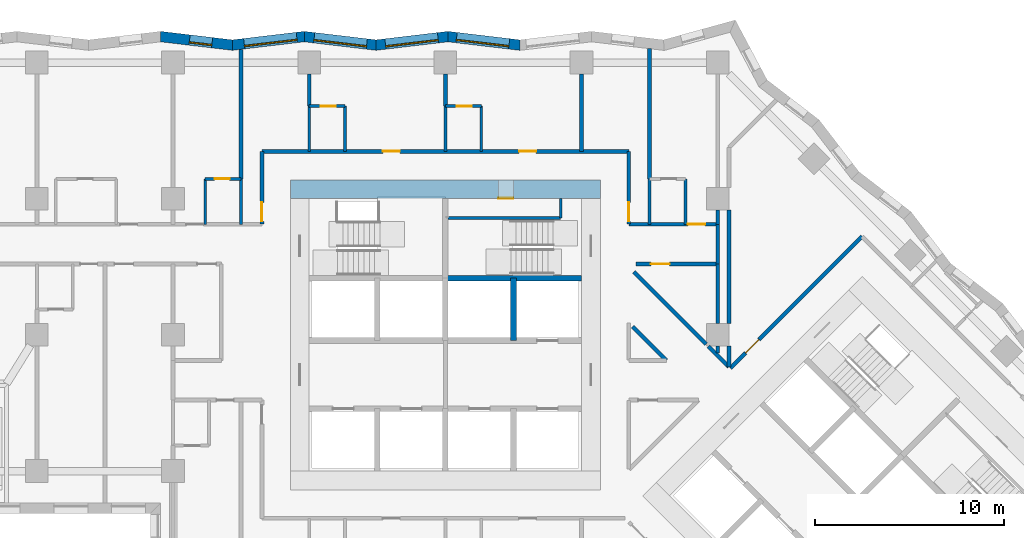
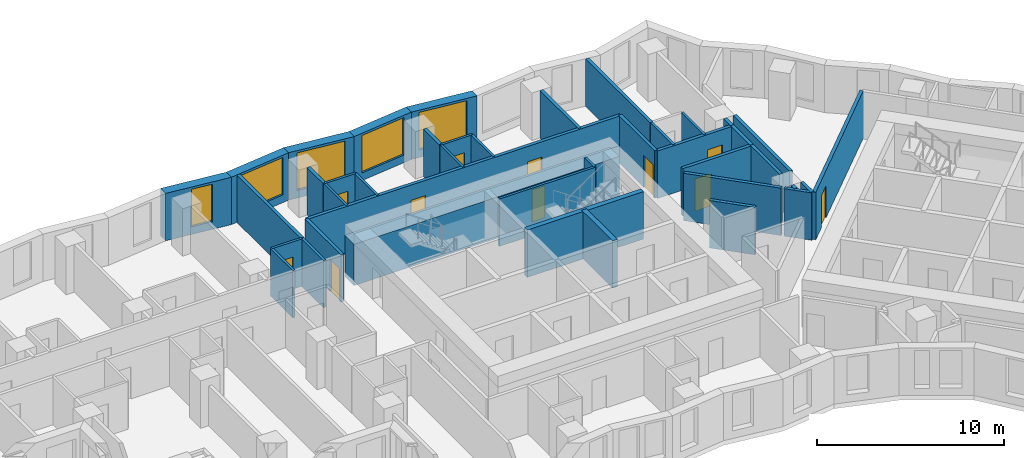
# One storey, part 6 of 14: 41 walls, 11 doors, 5 windows, 16 openings.
"""IFC4 building model written with IfcOpenShell, lengths in metres."""

from ifc_helpers import new_model, si_unit, direction, frame, frame_2d, origin, place, context, subcontext, project, spatial, polyline, rectangle, outline, extrude, material, layer, layer_set, type_object, element, fill, save


model = new_model("IFC4")

# Units and contexts
model_context = context("Model", 3, precision=1e-05, world=origin(), true_north=direction((0.0, 1.0)))
body_context = subcontext(model_context, "Body", "Model", "MODEL_VIEW")
ifc_project = project(units=[si_unit("LENGTHUNIT", "METRE"), si_unit("AREAUNIT", "SQUARE_METRE"), si_unit("VOLUMEUNIT", "CUBIC_METRE"), si_unit("PLANEANGLEUNIT", "RADIAN"), si_unit("MASSUNIT", "GRAM", prefix="KILO")], contexts=[model_context])

# Site, building, storey
site_placement = place(None, origin())
site = spatial("IfcSite", under=ifc_project, at=site_placement, CompositionType="ELEMENT")
building_placement = place(site_placement, origin())
building = spatial("IfcBuilding", under=site, at=building_placement, Name="Windrow Commons", CompositionType="ELEMENT")
storey_placement = place(building_placement, frame((0.0, 0.0, 44.0)))
storey = spatial("IfcBuildingStorey", under=building, at=storey_placement, Name="L11", CompositionType="ELEMENT", Elevation=44.0)

# Wall, opening, window
ifc_material_1 = material(Name="Brick masonry, red clay brick", Category="masonry")
ifc_layer_1 = layer(ifc_material_1, 0.55)
ifc_layer_set_1 = layer_set([ifc_layer_1], Name="Brick facade wall 550")
wall_type_1 = type_object("IfcWallType", Name="Brick facade wall 550", PredefinedType="SOLIDWALL", material=ifc_layer_set_1)
wall_1_placement = place(storey_placement, frame((68.7355, 72.9231, 0.0), z_axis=(0.0, 0.0, 1.0), x_axis=(-0.9930265769, 0.1178907016, 0.0)))
wall_1 = element("IfcWall", 1, at=wall_1_placement, inside=storey, type_object=wall_type_1, Name="Brick facade wall L11 26", PredefinedType="SOLIDWALL", context=body_context, shape_type="SweptSolid", body=[
    extrude(outline(polyline([(0.0326, -0.275), (3.8583, -0.275), (3.793, 0.275), (-0.0326, 0.275), (0.0326, -0.275)])), origin(), (0.0, 0.0, 1.0), 3.1),
])
opening_1_placement = place(wall_1_placement, frame((0.5654, 0.0, 0.5)))
opening_1 = element("IfcOpeningElement", 2, at=opening_1_placement, cuts=wall_1, Name="Opening W1T", PredefinedType="OPENING", context=body_context, shape_type="SweptSolid", body=[
    extrude(rectangle(XDim=2.8, YDim=2.45, at=frame_2d((1.4, 1.225))), frame((0.0, 0.285, 0.0), z_axis=(0.0, -1.0, 0.0), x_axis=(1.0, 0.0, 0.0)), (0.0, 0.0, 1.0), 0.57),
])
ifc_material_2 = material(Name="Clear float glass in anodised aluminium frame", Category="aluminium")
window_type_1 = type_object("IfcWindowType", Name="Window W1T bedroom 2800x2450", PartitioningType="SINGLE_PANEL", PredefinedType="WINDOW", material=ifc_material_2)
window_1_placement = place(opening_1_placement, origin())
window_1 = element("IfcWindow", 3, at=window_1_placement, inside=storey, type_object=window_type_1, Name="Window L11 26.1", OverallHeight=2.45, OverallWidth=2.8, PartitioningType="SINGLE_PANEL", PredefinedType="WINDOW", context=body_context, shape_type="SweptSolid", body=[
    extrude(rectangle(XDim=2.8, YDim=2.45, at=frame_2d((1.4, 1.225))), frame((0.0, 0.155, 0.0), z_axis=(0.0, -1.0, 0.0), x_axis=(1.0, 0.0, 0.0)), (0.0, 0.0, 1.0), 0.06),
])
fill(opening_1, window_1)

wall_2_placement = place(storey_placement, frame((64.9366, 73.3741, 0.0), z_axis=(0.0, 0.0, 1.0), x_axis=(-0.9930269402, -0.1178876415, 0.0)))
wall_2 = element("IfcWall", 4, at=wall_2_placement, inside=storey, type_object=wall_type_1, Name="Brick facade wall L11 27", PredefinedType="SOLIDWALL", context=body_context, shape_type="SweptSolid", body=[
    extrude(outline(polyline([(-0.0326, -0.275), (3.793, -0.275), (3.8583, 0.275), (0.0326, 0.275), (-0.0326, -0.275)])), origin(), (0.0, 0.0, 1.0), 3.1),
])
opening_2_placement = place(wall_2_placement, frame((0.5291, 0.0, 0.5)))
opening_2 = element("IfcOpeningElement", 5, at=opening_2_placement, cuts=wall_2, Name="Opening W1T", PredefinedType="OPENING", context=body_context, shape_type="SweptSolid", body=[
    extrude(rectangle(XDim=2.8, YDim=2.45, at=frame_2d((1.4, 1.225))), frame((0.0, 0.285, 0.0), z_axis=(0.0, -1.0, 0.0), x_axis=(1.0, 0.0, 0.0)), (0.0, 0.0, 1.0), 0.57),
])
window_2_placement = place(opening_2_placement, origin())
window_2 = element("IfcWindow", 6, at=window_2_placement, inside=storey, type_object=window_type_1, Name="Window L11 27.1", OverallHeight=2.45, OverallWidth=2.8, PartitioningType="SINGLE_PANEL", PredefinedType="WINDOW", context=body_context, shape_type="SweptSolid", body=[
    extrude(rectangle(XDim=2.8, YDim=2.45, at=frame_2d((1.4, 1.225))), frame((0.0, 0.155, 0.0), z_axis=(0.0, -1.0, 0.0), x_axis=(1.0, 0.0, 0.0)), (0.0, 0.0, 1.0), 0.06),
])
fill(opening_2, window_2)

wall_3_placement = place(storey_placement, frame((61.1376, 72.9231, 0.0), z_axis=(0.0, 0.0, 1.0), x_axis=(-0.9930269402, 0.1178876415, 0.0)))
wall_3 = element("IfcWall", 7, at=wall_3_placement, inside=storey, type_object=wall_type_1, Name="Brick facade wall L11 28", PredefinedType="SOLIDWALL", context=body_context, shape_type="SweptSolid", body=[
    extrude(outline(polyline([(0.0326, -0.275), (3.8583, -0.275), (3.793, 0.275), (-0.0326, 0.275), (0.0326, -0.275)])), origin(), (0.0, 0.0, 1.0), 3.1),
])
opening_3_placement = place(wall_3_placement, frame((0.4965, 0.0, 0.5)))
opening_3 = element("IfcOpeningElement", 8, at=opening_3_placement, cuts=wall_3, Name="Opening W1T", PredefinedType="OPENING", context=body_context, shape_type="SweptSolid", body=[
    extrude(rectangle(XDim=2.8, YDim=2.45, at=frame_2d((1.4, 1.225))), frame((0.0, 0.285, 0.0), z_axis=(0.0, -1.0, 0.0), x_axis=(1.0, 0.0, 0.0)), (0.0, 0.0, 1.0), 0.57),
])
window_3_placement = place(opening_3_placement, origin())
window_3 = element("IfcWindow", 9, at=window_3_placement, inside=storey, type_object=window_type_1, Name="Window L11 28.1", OverallHeight=2.45, OverallWidth=2.8, PartitioningType="SINGLE_PANEL", PredefinedType="WINDOW", context=body_context, shape_type="SweptSolid", body=[
    extrude(rectangle(XDim=2.8, YDim=2.45, at=frame_2d((1.4, 1.225))), frame((0.0, 0.155, 0.0), z_axis=(0.0, -1.0, 0.0), x_axis=(1.0, 0.0, 0.0)), (0.0, 0.0, 1.0), 0.06),
])
fill(opening_3, window_3)

wall_4_placement = place(storey_placement, frame((57.3386, 73.3741, 0.0), z_axis=(0.0, 0.0, 1.0), x_axis=(-0.9930265769, -0.1178907016, 0.0)))
wall_4 = element("IfcWall", 10, at=wall_4_placement, inside=storey, type_object=wall_type_1, Name="Brick facade wall L11 29", PredefinedType="SOLIDWALL", context=body_context, shape_type="SweptSolid", body=[
    extrude(outline(polyline([(-0.0326, -0.275), (3.793, -0.275), (3.8583, 0.275), (0.0326, 0.275), (-0.0326, -0.275)])), origin(), (0.0, 0.0, 1.0), 3.1),
])
opening_4_placement = place(wall_4_placement, frame((0.3974, 0.0, 0.5)))
opening_4 = element("IfcOpeningElement", 11, at=opening_4_placement, cuts=wall_4, Name="Opening W1T", PredefinedType="OPENING", context=body_context, shape_type="SweptSolid", body=[
    extrude(rectangle(XDim=2.8, YDim=2.45, at=frame_2d((1.4, 1.225))), frame((0.0, 0.285, 0.0), z_axis=(0.0, -1.0, 0.0), x_axis=(1.0, 0.0, 0.0)), (0.0, 0.0, 1.0), 0.57),
])
window_4_placement = place(opening_4_placement, origin())
window_4 = element("IfcWindow", 12, at=window_4_placement, inside=storey, type_object=window_type_1, Name="Window L11 29.1", OverallHeight=2.45, OverallWidth=2.8, PartitioningType="SINGLE_PANEL", PredefinedType="WINDOW", context=body_context, shape_type="SweptSolid", body=[
    extrude(rectangle(XDim=2.8, YDim=2.45, at=frame_2d((1.4, 1.225))), frame((0.0, 0.155, 0.0), z_axis=(0.0, -1.0, 0.0), x_axis=(1.0, 0.0, 0.0)), (0.0, 0.0, 1.0), 0.06),
])
fill(opening_4, window_4)

wall_5_placement = place(storey_placement, frame((53.5397, 72.9231, 0.0), z_axis=(0.0, 0.0, 1.0), x_axis=(-0.9930269402, 0.1178876415, 0.0)))
wall_5 = element("IfcWall", 13, at=wall_5_placement, inside=storey, type_object=wall_type_1, Name="Brick facade wall L11 30", PredefinedType="SOLIDWALL", context=body_context, shape_type="SweptSolid", body=[
    extrude(outline(polyline([(0.0326, -0.275), (3.8583, -0.275), (3.793, 0.275), (-0.0326, 0.275), (0.0326, -0.275)])), origin(), (0.0, 0.0, 1.0), 3.1),
])
opening_5_placement = place(wall_5_placement, frame((1.0809, 0.0, 0.5)))
opening_5 = element("IfcOpeningElement", 14, at=opening_5_placement, cuts=wall_5, Name="Opening W7D", PredefinedType="OPENING", context=body_context, shape_type="SweptSolid", body=[
    extrude(rectangle(XDim=1.2, YDim=2.45, at=frame_2d((0.6, 1.225))), frame((0.0, 0.285, 0.0), z_axis=(0.0, -1.0, 0.0), x_axis=(1.0, 0.0, 0.0)), (0.0, 0.0, 1.0), 0.57),
])
ifc_material_3 = material(Name="Clear float glass in anodised aluminium frame", Category="aluminium")
window_type_2 = type_object("IfcWindowType", Name="Window W7 notch 1200x2450", PartitioningType="SINGLE_PANEL", PredefinedType="WINDOW", material=ifc_material_3)
window_5_placement = place(opening_5_placement, origin())
window_5 = element("IfcWindow", 15, at=window_5_placement, inside=storey, type_object=window_type_2, Name="Window L11 30.1", OverallHeight=2.45, OverallWidth=1.2, PartitioningType="SINGLE_PANEL", PredefinedType="WINDOW", context=body_context, shape_type="SweptSolid", body=[
    extrude(rectangle(XDim=1.2, YDim=2.45, at=frame_2d((0.6, 1.225))), frame((0.0, 0.155, 0.0), z_axis=(0.0, -1.0, 0.0), x_axis=(1.0, 0.0, 0.0)), (0.0, 0.0, 1.0), 0.06),
])
fill(opening_5, window_5)

# Wall, openings, doors
ifc_material_4 = material(Name="Blockwork partition", Category="masonry")
ifc_layer_2 = layer(ifc_material_4, 0.2)
ifc_layer_set_2 = layer_set([ifc_layer_2], Name="IW-CORRIDOR-200")
wall_type_2 = type_object("IfcWallType", Name="IW-CORRIDOR-200", PredefinedType="PARTITIONING", material=ifc_layer_set_2)
wall_6_placement = place(storey_placement, frame((55.1, 67.3, 0.0), z_axis=(0.0, 0.0, 1.0), x_axis=(1.0, 0.0, 0.0)))
wall_6 = element("IfcWall", 16, at=wall_6_placement, inside=storey, type_object=wall_type_2, Name="W-L11-W002", PredefinedType="PARTITIONING", context=body_context, shape_type="SweptSolid", body=[
    extrude(rectangle(XDim=19.4, YDim=0.2, at=frame_2d((9.7, 0.0))), origin(), (0.0, 0.0, 1.0), 3.1),
])
opening_6_placement = place(wall_6_placement, frame((6.3994, 0.0, 0.0)))
opening_6 = element("IfcOpeningElement", 17, at=opening_6_placement, cuts=wall_6, Name="Opening D109F", PredefinedType="OPENING", context=body_context, shape_type="SweptSolid", body=[
    extrude(rectangle(XDim=0.9, YDim=2.1, at=frame_2d((0.45, 1.05))), frame((0.0, 0.11, 0.0), z_axis=(0.0, -1.0, 0.0), x_axis=(1.0, 0.0, 0.0)), (0.0, 0.0, 1.0), 0.22),
])
opening_7_placement = place(wall_6_placement, frame((13.5994, 0.0, 0.0)))
opening_7 = element("IfcOpeningElement", 18, at=opening_7_placement, cuts=wall_6, Name="Opening D109F", PredefinedType="OPENING", context=body_context, shape_type="SweptSolid", body=[
    extrude(rectangle(XDim=0.9, YDim=2.1, at=frame_2d((0.45, 1.05))), frame((0.0, 0.11, 0.0), z_axis=(0.0, -1.0, 0.0), x_axis=(1.0, 0.0, 0.0)), (0.0, 0.0, 1.0), 0.22),
])
ifc_material_5 = material(Name="Timber door leaf", Category="wood")
door_type_1 = type_object("IfcDoorType", Name="DT-BEDROOM-900", OperationType="SINGLE_SWING_LEFT", PredefinedType="DOOR", material=ifc_material_5)
door_1_placement = place(opening_6_placement, origin())
door_1 = element("IfcDoor", 19, at=door_1_placement, inside=storey, type_object=door_type_1, Name="D-L11-D028", OperationType="SINGLE_SWING_RIGHT", OverallHeight=2.1, OverallWidth=0.9, PredefinedType="DOOR", context=body_context, shape_type="SweptSolid", body=[
    extrude(rectangle(XDim=0.9, YDim=2.1, at=frame_2d((0.45, 1.05))), frame((0.0, 0.025, 0.0), z_axis=(0.0, -1.0, 0.0), x_axis=(1.0, 0.0, 0.0)), (0.0, 0.0, 1.0), 0.05),
])
fill(opening_6, door_1)
door_2_placement = place(opening_7_placement, origin())
door_2 = element("IfcDoor", 20, at=door_2_placement, inside=storey, type_object=door_type_1, Name="D-L11-D030", OperationType="SINGLE_SWING_RIGHT", OverallHeight=2.1, OverallWidth=0.9, PredefinedType="DOOR", context=body_context, shape_type="SweptSolid", body=[
    extrude(rectangle(XDim=0.9, YDim=2.1, at=frame_2d((0.45, 1.05))), frame((0.0, 0.025, 0.0), z_axis=(0.0, -1.0, 0.0), x_axis=(1.0, 0.0, 0.0)), (0.0, 0.0, 1.0), 0.05),
])
fill(opening_7, door_2)

# Wall, opening, door
wall_7_placement = place(storey_placement, frame((79.8707, 55.8433, 0.0), z_axis=(0.0, 0.0, 1.0), x_axis=(0.7071067812, 0.7071067812, 0.0)))
wall_7 = element("IfcWall", 21, at=wall_7_placement, inside=storey, type_object=wall_type_2, Name="W-L11-W010", PredefinedType="PARTITIONING", context=body_context, shape_type="SweptSolid", body=[
    extrude(rectangle(XDim=9.85, YDim=0.2, at=frame_2d((4.925, 0.0))), origin(), (0.0, 0.0, 1.0), 3.1),
])
opening_8_placement = place(wall_7_placement, frame((1.135, 0.0, 0.0)))
opening_8 = element("IfcOpeningElement", 22, at=opening_8_placement, cuts=wall_7, Name="Opening D310F", PredefinedType="OPENING", context=body_context, shape_type="SweptSolid", body=[
    extrude(rectangle(XDim=1.0, YDim=2.1, at=frame_2d((0.5, 1.05))), frame((0.0, 0.11, 0.0), z_axis=(0.0, -1.0, 0.0), x_axis=(1.0, 0.0, 0.0)), (0.0, 0.0, 1.0), 0.22),
])
ifc_material_6 = material(Name="Timber door leaf", Category="wood")
door_type_2 = type_object("IfcDoorType", Name="DT-AMENITY-1000", OperationType="SINGLE_SWING_LEFT", PredefinedType="DOOR", material=ifc_material_6)
door_3_placement = place(opening_8_placement, origin())
door_3 = element("IfcDoor", 23, at=door_3_placement, inside=storey, type_object=door_type_2, Name="D-L11-D038", OperationType="SINGLE_SWING_RIGHT", OverallHeight=2.1, OverallWidth=1.0, PredefinedType="DOOR", context=body_context, shape_type="SweptSolid", body=[
    extrude(rectangle(XDim=1.0, YDim=2.1, at=frame_2d((0.5, 1.05))), frame((0.0, 0.025, 0.0), z_axis=(0.0, -1.0, 0.0), x_axis=(1.0, 0.0, 0.0)), (0.0, 0.0, 1.0), 0.05),
])
fill(opening_8, door_3)

# Wall
wall_8_placement = place(storey_placement, frame((74.773, 60.935, 0.0), z_axis=(0.0, 0.0, 1.0), x_axis=(0.7071067812, -0.7071067812, 0.0)))
element("IfcWall", 24, at=wall_8_placement, inside=storey, type_object=wall_type_2, Name="W-L11-W037", PredefinedType="PARTITIONING", context=body_context, shape_type="SweptSolid", body=[
    extrude(rectangle(XDim=5.408, YDim=0.2, at=frame_2d((2.704, 0.0))), origin(), (0.0, 0.0, 1.0), 3.1),
])

# Wall, opening, door
wall_9_placement = place(storey_placement, frame((74.51, 63.45, 0.0), z_axis=(0.0, 0.0, 1.0), x_axis=(1.0, 0.0, 0.0)))
wall_9 = element("IfcWall", 25, at=wall_9_placement, inside=storey, type_object=wall_type_2, Name="W-L11-W043", PredefinedType="PARTITIONING", context=body_context, shape_type="SweptSolid", body=[
    extrude(rectangle(XDim=4.69, YDim=0.2, at=frame_2d((2.345, 0.0))), origin(), (0.0, 0.0, 1.0), 3.1),
])
opening_9_placement = place(wall_9_placement, frame((3.12, 0.0, 0.0)))
opening_9 = element("IfcOpeningElement", 26, at=opening_9_placement, cuts=wall_9, Name="Opening D109S", PredefinedType="OPENING", context=body_context, shape_type="SweptSolid", body=[
    extrude(rectangle(XDim=0.9, YDim=2.1, at=frame_2d((0.45, 1.05))), frame((0.0, 0.11, 0.0), z_axis=(0.0, -1.0, 0.0), x_axis=(1.0, 0.0, 0.0)), (0.0, 0.0, 1.0), 0.22),
])
door_4_placement = place(opening_9_placement, origin())
door_4 = element("IfcDoor", 27, at=door_4_placement, inside=storey, type_object=door_type_1, Name="D-L11-D021", OperationType="SINGLE_SWING_LEFT", OverallHeight=2.1, OverallWidth=0.9, PredefinedType="DOOR", context=body_context, shape_type="SweptSolid", body=[
    extrude(rectangle(XDim=0.9, YDim=2.1, at=frame_2d((0.45, 1.05))), frame((0.0, 0.025, 0.0), z_axis=(0.0, -1.0, 0.0), x_axis=(1.0, 0.0, 0.0)), (0.0, 0.0, 1.0), 0.05),
])
fill(opening_9, door_4)

wall_10_placement = place(storey_placement, frame((74.882, 61.35, 0.0), z_axis=(0.0, 0.0, 1.0), x_axis=(1.0, 0.0, 0.0)))
wall_10 = element("IfcWall", 28, at=wall_10_placement, inside=storey, type_object=wall_type_2, Name="W-L11-W047", PredefinedType="PARTITIONING", context=body_context, shape_type="SweptSolid", body=[
    extrude(rectangle(XDim=4.318, YDim=0.2, at=frame_2d((2.159, 0.0))), origin(), (0.0, 0.0, 1.0), 3.1),
])
opening_10_placement = place(wall_10_placement, frame((0.7796, 0.0, 0.0)))
opening_10 = element("IfcOpeningElement", 29, at=opening_10_placement, cuts=wall_10, Name="Opening D410F", PredefinedType="OPENING", context=body_context, shape_type="SweptSolid", body=[
    extrude(rectangle(XDim=1.0, YDim=2.1, at=frame_2d((0.5, 1.05))), frame((0.0, 0.11, 0.0), z_axis=(0.0, -1.0, 0.0), x_axis=(1.0, 0.0, 0.0)), (0.0, 0.0, 1.0), 0.22),
])
ifc_material_7 = material(Name="Timber door leaf", Category="wood")
door_type_3 = type_object("IfcDoorType", Name="DT-SERVICE-1000", OperationType="SINGLE_SWING_LEFT", PredefinedType="DOOR", material=ifc_material_7)
door_5_placement = place(opening_10_placement, origin())
door_5 = element("IfcDoor", 30, at=door_5_placement, inside=storey, type_object=door_type_3, Name="D-L11-D037", OperationType="SINGLE_SWING_RIGHT", OverallHeight=2.1, OverallWidth=1.0, PredefinedType="DOOR", context=body_context, shape_type="SweptSolid", body=[
    extrude(rectangle(XDim=1.0, YDim=2.1, at=frame_2d((0.5, 1.05))), frame((0.0, 0.025, 0.0), z_axis=(0.0, -1.0, 0.0), x_axis=(1.0, 0.0, 0.0)), (0.0, 0.0, 1.0), 0.05),
])
fill(opening_10, door_5)

wall_11_placement = place(storey_placement, frame((55.1, 63.452, 0.0), z_axis=(0.0, 0.0, 1.0), x_axis=(0.0, 1.0, 0.0)))
wall_11 = element("IfcWall", 31, at=wall_11_placement, inside=storey, type_object=wall_type_2, Name="W-L11-W051", PredefinedType="PARTITIONING", context=body_context, shape_type="SweptSolid", body=[
    extrude(rectangle(XDim=3.848, YDim=0.2, at=frame_2d((1.924, 0.0))), origin(), (0.0, 0.0, 1.0), 3.1),
])
opening_11_placement = place(wall_11_placement, frame((0.1548, 0.0, 0.0)))
opening_11 = element("IfcOpeningElement", 32, at=opening_11_placement, cuts=wall_11, Name="Opening D310F", PredefinedType="OPENING", context=body_context, shape_type="SweptSolid", body=[
    extrude(rectangle(XDim=1.0, YDim=2.1, at=frame_2d((0.5, 1.05))), frame((0.0, 0.11, 0.0), z_axis=(0.0, -1.0, 0.0), x_axis=(1.0, 0.0, 0.0)), (0.0, 0.0, 1.0), 0.22),
])
door_6_placement = place(opening_11_placement, origin())
door_6 = element("IfcDoor", 33, at=door_6_placement, inside=storey, type_object=door_type_2, Name="D-L11-D019", OperationType="SINGLE_SWING_LEFT", OverallHeight=2.1, OverallWidth=1.0, PredefinedType="DOOR", context=body_context, shape_type="SweptSolid", body=[
    extrude(rectangle(XDim=1.0, YDim=2.1, at=frame_2d((0.5, 1.05))), frame((0.0, 0.025, 0.0), z_axis=(0.0, -1.0, 0.0), x_axis=(1.0, 0.0, 0.0)), (0.0, 0.0, 1.0), 0.05),
])
fill(opening_11, door_6)

wall_12_placement = place(storey_placement, frame((74.5, 63.46, 0.0), z_axis=(0.0, 0.0, 1.0), x_axis=(0.0, 1.0, 0.0)))
wall_12 = element("IfcWall", 34, at=wall_12_placement, inside=storey, type_object=wall_type_2, Name="W-L11-W052", PredefinedType="PARTITIONING", context=body_context, shape_type="SweptSolid", body=[
    extrude(rectangle(XDim=3.84, YDim=0.2, at=frame_2d((1.92, 0.0))), origin(), (0.0, 0.0, 1.0), 3.1),
])
opening_12_placement = place(wall_12_placement, frame((0.1468, 0.0, 0.0)))
opening_12 = element("IfcOpeningElement", 35, at=opening_12_placement, cuts=wall_12, Name="Opening D310F", PredefinedType="OPENING", context=body_context, shape_type="SweptSolid", body=[
    extrude(rectangle(XDim=1.0, YDim=2.1, at=frame_2d((0.5, 1.05))), frame((0.0, 0.11, 0.0), z_axis=(0.0, -1.0, 0.0), x_axis=(1.0, 0.0, 0.0)), (0.0, 0.0, 1.0), 0.22),
])
door_7_placement = place(opening_12_placement, origin())
door_7 = element("IfcDoor", 36, at=door_7_placement, inside=storey, type_object=door_type_2, Name="D-L11-D020", OperationType="SINGLE_SWING_RIGHT", OverallHeight=2.1, OverallWidth=1.0, PredefinedType="DOOR", context=body_context, shape_type="SweptSolid", body=[
    extrude(rectangle(XDim=1.0, YDim=2.1, at=frame_2d((0.5, 1.05))), frame((0.0, 0.025, 0.0), z_axis=(0.0, -1.0, 0.0), x_axis=(1.0, 0.0, 0.0)), (0.0, 0.0, 1.0), 0.05),
])
fill(opening_12, door_7)

# Walls
wall_13_placement = place(storey_placement, frame((74.697, 58.041, 0.0), z_axis=(0.0, 0.0, 1.0), x_axis=(0.7071067812, -0.7071067812, 0.0)))
element("IfcWall", 37, at=wall_13_placement, inside=storey, type_object=wall_type_2, Name="W-L11-W068", PredefinedType="PARTITIONING", context=body_context, shape_type="SweptSolid", body=[
    extrude(rectangle(XDim=2.5343, YDim=0.2, at=frame_2d((1.2671, 0.0))), origin(), (0.0, 0.0, 1.0), 3.1),
])
wall_14_placement = place(storey_placement, frame((79.2, 61.35, 0.0), z_axis=(0.0, 0.0, 1.0), x_axis=(0.0, 1.0, 0.0)))
element("IfcWall", 38, at=wall_14_placement, inside=storey, type_object=wall_type_2, Name="W-L11-W118", PredefinedType="PARTITIONING", context=body_context, shape_type="SweptSolid", body=[
    extrude(rectangle(XDim=2.1, YDim=0.2, at=frame_2d((1.05, 0.0))), origin(), (0.0, 0.0, 1.0), 3.1),
])
wall_15_placement = place(storey_placement, frame((78.711, 56.997, 0.0), z_axis=(0.0, 0.0, 1.0), x_axis=(0.7071067812, -0.7071067812, 0.0)))
element("IfcWall", 39, at=wall_15_placement, inside=storey, type_object=wall_type_2, Name="W-L11-W151", PredefinedType="PARTITIONING", context=body_context, shape_type="SweptSolid", body=[
    extrude(rectangle(XDim=1.5358, YDim=0.2, at=frame_2d((0.7679, 0.0))), origin(), (0.0, 0.0, 1.0), 3.1),
])
ifc_material_8 = material(Name="Blockwork partition", Category="masonry")
ifc_layer_3 = layer(ifc_material_8, 0.15)
ifc_layer_set_3 = layer_set([ifc_layer_3], Name="IW-ENSUITE-150")
wall_type_3 = type_object("IfcWallType", Name="IW-ENSUITE-150", PredefinedType="PARTITIONING", material=ifc_layer_set_3)
for number, where, z_axis, x_axis, name in (
    (40, (59.5, 67.3, 0.0), (0.0, 0.0, 1.0), (0.0, 1.0, 0.0), "W-L11-W076"),
    (41, (57.6, 67.3, 0.0), (0.0, 0.0, 1.0), (0.0, 1.0, 0.0), "W-L11-W077"),
    (42, (66.7, 67.3, 0.0), (0.0, 0.0, 1.0), (0.0, 1.0, 0.0), "W-L11-W078"),
    (43, (64.8, 67.3, 0.0), (0.0, 0.0, 1.0), (0.0, 1.0, 0.0), "W-L11-W079"),
    (44, (52.1, 63.45, 0.0), (0.0, 0.0, 1.0), (0.0, 1.0, 0.0), "W-L11-W098"),
    (45, (54.0, 63.45, 0.0), (0.0, 0.0, 1.0), (0.0, 1.0, 0.0), "W-L11-W099"),
    (46, (75.6, 63.45, 0.0), (0.0, 0.0, 1.0), (0.0, 1.0, 0.0), "W-L11-W100"),
    (47, (77.5, 63.45, 0.0), (0.0, 0.0, 1.0), (0.0, 1.0, 0.0), "W-L11-W101"),
):
    element("IfcWall", number, at=place(storey_placement, frame(where, z_axis=z_axis, x_axis=x_axis)), inside=storey, type_object=wall_type_3, Name=name, PredefinedType="PARTITIONING", context=body_context, shape_type="SweptSolid", body=[
        extrude(rectangle(XDim=2.4, YDim=0.15, at=frame_2d((1.2, 0.0))), origin(), (0.0, 0.0, 1.0), 3.1),
    ])

# Wall, opening, door
wall_16_placement = place(storey_placement, frame((64.8, 69.7, 0.0), z_axis=(0.0, 0.0, 1.0), x_axis=(1.0, 0.0, 0.0)))
wall_16 = element("IfcWall", 48, at=wall_16_placement, inside=storey, type_object=wall_type_3, Name="W-L11-W128", PredefinedType="PARTITIONING", context=body_context, shape_type="SweptSolid", body=[
    extrude(rectangle(XDim=1.9, YDim=0.15, at=frame_2d((0.95, 0.0))), origin(), (0.0, 0.0, 1.0), 3.1),
])
opening_13_placement = place(wall_16_placement, frame((0.6069, 0.0, 0.0)))
opening_13 = element("IfcOpeningElement", 49, at=opening_13_placement, cuts=wall_16, Name="Opening D208N", PredefinedType="OPENING", context=body_context, shape_type="SweptSolid", body=[
    extrude(rectangle(XDim=0.8, YDim=2.1, at=frame_2d((0.4, 1.05))), frame((0.0, 0.085, 0.0), z_axis=(0.0, -1.0, 0.0), x_axis=(1.0, 0.0, 0.0)), (0.0, 0.0, 1.0), 0.17),
])
ifc_material_9 = material(Name="Timber door leaf", Category="wood")
door_type_4 = type_object("IfcDoorType", Name="DT-ENSUITE-800", OperationType="SINGLE_SWING_LEFT", PredefinedType="DOOR", material=ifc_material_9)
door_8_placement = place(opening_13_placement, origin())
door_8 = element("IfcDoor", 50, at=door_8_placement, inside=storey, type_object=door_type_4, Name="D-L11-D031", OperationType="SINGLE_SWING_RIGHT", OverallHeight=2.1, OverallWidth=0.8, PredefinedType="DOOR", context=body_context, shape_type="SweptSolid", body=[
    extrude(rectangle(XDim=0.8, YDim=2.1, at=frame_2d((0.4, 1.05))), frame((0.0, 0.025, 0.0), z_axis=(0.0, -1.0, 0.0), x_axis=(1.0, 0.0, 0.0)), (0.0, 0.0, 1.0), 0.05),
])
fill(opening_13, door_8)

wall_17_placement = place(storey_placement, frame((52.1, 65.85, 0.0), z_axis=(0.0, 0.0, 1.0), x_axis=(1.0, 0.0, 0.0)))
wall_17 = element("IfcWall", 51, at=wall_17_placement, inside=storey, type_object=wall_type_3, Name="W-L11-W133", PredefinedType="PARTITIONING", context=body_context, shape_type="SweptSolid", body=[
    extrude(rectangle(XDim=1.9, YDim=0.15, at=frame_2d((0.95, 0.0))), origin(), (0.0, 0.0, 1.0), 3.1),
])
opening_14_placement = place(wall_17_placement, frame((0.4931, 0.0, 0.0)))
opening_14 = element("IfcOpeningElement", 52, at=opening_14_placement, cuts=wall_17, Name="Opening D208N", PredefinedType="OPENING", context=body_context, shape_type="SweptSolid", body=[
    extrude(rectangle(XDim=0.8, YDim=2.1, at=frame_2d((0.4, 1.05))), frame((0.0, 0.085, 0.0), z_axis=(0.0, -1.0, 0.0), x_axis=(1.0, 0.0, 0.0)), (0.0, 0.0, 1.0), 0.17),
])
door_9_placement = place(opening_14_placement, origin())
door_9 = element("IfcDoor", 53, at=door_9_placement, inside=storey, type_object=door_type_4, Name="D-L11-D018", OperationType="SINGLE_SWING_RIGHT", OverallHeight=2.1, OverallWidth=0.8, PredefinedType="DOOR", context=body_context, shape_type="SweptSolid", body=[
    extrude(rectangle(XDim=0.8, YDim=2.1, at=frame_2d((0.4, 1.05))), frame((0.0, 0.025, 0.0), z_axis=(0.0, -1.0, 0.0), x_axis=(1.0, 0.0, 0.0)), (0.0, 0.0, 1.0), 0.05),
])
fill(opening_14, door_9)

wall_18_placement = place(storey_placement, frame((57.6, 69.7, 0.0), z_axis=(0.0, 0.0, 1.0), x_axis=(1.0, 0.0, 0.0)))
wall_18 = element("IfcWall", 54, at=wall_18_placement, inside=storey, type_object=wall_type_3, Name="W-L11-W136", PredefinedType="PARTITIONING", context=body_context, shape_type="SweptSolid", body=[
    extrude(rectangle(XDim=1.9, YDim=0.15, at=frame_2d((0.95, 0.0))), origin(), (0.0, 0.0, 1.0), 3.1),
])
opening_15_placement = place(wall_18_placement, frame((0.6069, 0.0, 0.0)))
opening_15 = element("IfcOpeningElement", 55, at=opening_15_placement, cuts=wall_18, Name="Opening D208N", PredefinedType="OPENING", context=body_context, shape_type="SweptSolid", body=[
    extrude(rectangle(XDim=0.8, YDim=2.1, at=frame_2d((0.4, 1.05))), frame((0.0, 0.085, 0.0), z_axis=(0.0, -1.0, 0.0), x_axis=(1.0, 0.0, 0.0)), (0.0, 0.0, 1.0), 0.17),
])
door_10_placement = place(opening_15_placement, origin())
door_10 = element("IfcDoor", 56, at=door_10_placement, inside=storey, type_object=door_type_4, Name="D-L11-D029", OperationType="SINGLE_SWING_RIGHT", OverallHeight=2.1, OverallWidth=0.8, PredefinedType="DOOR", context=body_context, shape_type="SweptSolid", body=[
    extrude(rectangle(XDim=0.8, YDim=2.1, at=frame_2d((0.4, 1.05))), frame((0.0, 0.025, 0.0), z_axis=(0.0, -1.0, 0.0), x_axis=(1.0, 0.0, 0.0)), (0.0, 0.0, 1.0), 0.05),
])
fill(opening_15, door_10)

# Walls
ifc_material_10 = material(Name="Blockwork partition", Category="masonry")
ifc_layer_4 = layer(ifc_material_10, 0.2)
ifc_layer_set_4 = layer_set([ifc_layer_4], Name="IW-PARTY-200")
wall_type_4 = type_object("IfcWallType", Name="IW-PARTY-200", PredefinedType="PARTITIONING", material=ifc_layer_set_4)
wall_19_placement = place(storey_placement, frame((75.6, 65.85, 0.0), z_axis=(0.0, 0.0, 1.0), x_axis=(0.0, 1.0, 0.0)))
element("IfcWall", 57, at=wall_19_placement, inside=storey, type_object=wall_type_4, Name="W-L11-W018", PredefinedType="PARTITIONING", context=body_context, shape_type="SweptSolid", body=[
    extrude(rectangle(XDim=6.8832, YDim=0.2, at=frame_2d((3.4416, 0.0))), origin(), (0.0, 0.0, 1.0), 3.1),
])
wall_20_placement = place(storey_placement, frame((54.0, 65.85, 0.0), z_axis=(0.0, 0.0, 1.0), x_axis=(0.0, 1.0, 0.0)))
element("IfcWall", 58, at=wall_20_placement, inside=storey, type_object=wall_type_4, Name="W-L11-W019", PredefinedType="PARTITIONING", context=body_context, shape_type="SweptSolid", body=[
    extrude(rectangle(XDim=6.8508, YDim=0.2, at=frame_2d((3.4254, 0.0))), origin(), (0.0, 0.0, 1.0), 3.1),
])
wall_21_placement = place(storey_placement, frame((79.8, 58.2, 0.0), z_axis=(0.0, 0.0, 1.0), x_axis=(0.0, 1.0, 0.0)))
element("IfcWall", 59, at=wall_21_placement, inside=storey, type_object=wall_type_4, Name="W-L11-W031", PredefinedType="PARTITIONING", context=body_context, shape_type="SweptSolid", body=[
    extrude(rectangle(XDim=6.0, YDim=0.2, at=frame_2d((3.0, 0.0))), origin(), (0.0, 0.0, 1.0), 3.1),
])
wall_22_placement = place(storey_placement, frame((72.0, 67.3, 0.0), z_axis=(0.0, 0.0, 1.0), x_axis=(0.0, 1.0, 0.0)))
element("IfcWall", 60, at=wall_22_placement, inside=storey, type_object=wall_type_4, Name="W-L11-W048", PredefinedType="PARTITIONING", context=body_context, shape_type="SweptSolid", body=[
    extrude(rectangle(XDim=4.1, YDim=0.2, at=frame_2d((2.05, 0.0))), origin(), (0.0, 0.0, 1.0), 3.1),
])
wall_23_placement = place(storey_placement, frame((79.2, 58.2, 0.0), z_axis=(0.0, 0.0, 1.0), x_axis=(0.0, 1.0, 0.0)))
element("IfcWall", 61, at=wall_23_placement, inside=storey, type_object=wall_type_4, Name="W-L11-W063", PredefinedType="PARTITIONING", context=body_context, shape_type="SweptSolid", body=[
    extrude(rectangle(XDim=3.15, YDim=0.2, at=frame_2d((1.575, 0.0))), origin(), (0.0, 0.0, 1.0), 3.1),
])
for number, where, z_axis, x_axis, name in (
    (62, (57.6, 69.7, 0.0), (0.0, 0.0, 1.0), (0.0, 1.0, 0.0), "W-L11-W147"),
    (63, (64.8, 69.7, 0.0), (0.0, 0.0, 1.0), (0.0, 1.0, 0.0), "W-L11-W149"),
):
    element("IfcWall", number, at=place(storey_placement, frame(where, z_axis=z_axis, x_axis=x_axis)), inside=storey, type_object=wall_type_4, Name=name, PredefinedType="PARTITIONING", context=body_context, shape_type="SweptSolid", body=[
        extrude(rectangle(XDim=1.7, YDim=0.2, at=frame_2d((0.85, 0.0))), origin(), (0.0, 0.0, 1.0), 3.1),
    ])
wall_24_placement = place(storey_placement, frame((79.8, 55.914, 0.0), z_axis=(0.0, 0.0, 1.0), x_axis=(0.0, 1.0, 0.0)))
element("IfcWall", 64, at=wall_24_placement, inside=storey, type_object=wall_type_4, Name="W-L11-W154", PredefinedType="PARTITIONING", context=body_context, shape_type="SweptSolid", body=[
    extrude(rectangle(XDim=1.086, YDim=0.2, at=frame_2d((0.543, 0.0))), origin(), (0.0, 0.0, 1.0), 3.1),
])
wall_25_placement = place(storey_placement, frame((79.2, 63.45, 0.0), z_axis=(0.0, 0.0, 1.0), x_axis=(0.0, 1.0, 0.0)))
element("IfcWall", 65, at=wall_25_placement, inside=storey, type_object=wall_type_4, Name="W-L11-W164", PredefinedType="PARTITIONING", context=body_context, shape_type="SweptSolid", body=[
    extrude(rectangle(XDim=0.75, YDim=0.2, at=frame_2d((0.375, 0.0))), origin(), (0.0, 0.0, 1.0), 3.1),
])
wall_26_placement = place(storey_placement, frame((79.2, 56.644, 0.0), z_axis=(0.0, 0.0, 1.0), x_axis=(0.0, 1.0, 0.0)))
element("IfcWall", 66, at=wall_26_placement, inside=storey, type_object=wall_type_4, Name="W-L11-W189", PredefinedType="PARTITIONING", context=body_context, shape_type="SweptSolid", body=[
    extrude(rectangle(XDim=0.356, YDim=0.2, at=frame_2d((0.178, 0.0))), origin(), (0.0, 0.0, 1.0), 3.1),
])

# Wall, opening, door
ifc_material_11 = material(Name="Concrete C60/75", Category="concrete")
ifc_layer_5 = layer(ifc_material_11, 1.0)
ifc_layer_set_5 = layer_set([ifc_layer_5], Name="RC CORE WALL 1000 C60/75")
wall_type_5 = type_object("IfcWallType", Name="RC CORE WALL 1000 C60/75", PredefinedType="SHEAR", material=ifc_layer_set_5)
wall_27_placement = place(storey_placement, frame((56.6, 65.3, -0.3), z_axis=(0.0, 0.0, 1.0), x_axis=(1.0, 0.0, 0.0)))
wall_27 = element("IfcWall", 67, at=wall_27_placement, inside=storey, type_object=wall_type_5, Name="Core A wall outer-N", PredefinedType="SHEAR", context=body_context, shape_type="SweptSolid", body=[
    extrude(rectangle(XDim=16.4, YDim=1.0, at=frame_2d((8.2, 0.0))), origin(), (0.0, 0.0, 1.0), 2.7),
])
opening_16_placement = place(wall_27_placement, frame((11.0, 0.0, 0.3)))
opening_16 = element("IfcOpeningElement", 68, at=opening_16_placement, cuts=wall_27, Name="Opening D9", PredefinedType="OPENING", context=body_context, shape_type="SweptSolid", body=[
    extrude(rectangle(XDim=0.8, YDim=2.1, at=frame_2d((0.4, 1.05))), frame((0.0, 0.51, 0.0), z_axis=(0.0, -1.0, 0.0), x_axis=(1.0, 0.0, 0.0)), (0.0, 0.0, 1.0), 1.02),
])
ifc_material_12 = material(Name="Steel fire door leaf", Category="steel")
door_type_5 = type_object("IfcDoorType", Name="Riser access door 800", OperationType="SINGLE_SWING_LEFT", PredefinedType="DOOR", material=ifc_material_12)
door_11_placement = place(opening_16_placement, origin())
door_11 = element("IfcDoor", 69, at=door_11_placement, inside=storey, type_object=door_type_5, Name="Riser access door", OperationType="SINGLE_SWING_RIGHT", OverallHeight=2.1, OverallWidth=0.8, PredefinedType="DOOR", context=body_context, shape_type="SweptSolid", body=[
    extrude(rectangle(XDim=0.8, YDim=2.1, at=frame_2d((0.4, 1.05))), frame((0.0, -0.44, 0.0), z_axis=(0.0, -1.0, 0.0), x_axis=(1.0, 0.0, 0.0)), (0.0, 0.0, 1.0), 0.05),
])
fill(opening_16, door_11)

# Walls
ifc_material_13 = material(Name="Concrete C60/75", Category="concrete")
ifc_layer_6 = layer(ifc_material_13, 0.3)
ifc_layer_set_6 = layer_set([ifc_layer_6], Name="RC SHAFT WALL 300 C60/75")
wall_type_6 = type_object("IfcWallType", Name="RC SHAFT WALL 300 C60/75", PredefinedType="SOLIDWALL", material=ifc_layer_set_6)
wall_28_placement = place(storey_placement, frame((68.4, 57.3, 0.0), z_axis=(0.0, 0.0, 1.0), x_axis=(0.0, 1.0, 0.0)))
element("IfcWall", 70, at=wall_28_placement, inside=storey, type_object=wall_type_6, Name="Core A wall shaft-N3", PredefinedType="SOLIDWALL", context=body_context, shape_type="SweptSolid", body=[
    extrude(rectangle(XDim=3.3, YDim=0.3, at=frame_2d((1.65, 0.0))), origin(), (0.0, 0.0, 1.0), 3.1),
])
wall_29_placement = place(storey_placement, frame((64.8, 60.6, 0.0), z_axis=(0.0, 0.0, 1.0), x_axis=(1.0, 0.0, 0.0)))
element("IfcWall", 71, at=wall_29_placement, inside=storey, type_object=wall_type_6, Name="Core A wall stair-S2", PredefinedType="SOLIDWALL", context=body_context, shape_type="SweptSolid", body=[
    extrude(rectangle(XDim=7.2, YDim=0.3, at=frame_2d((3.6, 0.0))), origin(), (0.0, 0.0, 1.0), 3.1),
])
ifc_material_14 = material(Name="Blockwork partition", Category="masonry")
ifc_layer_7 = layer(ifc_material_14, 0.15)
ifc_layer_set_7 = layer_set([ifc_layer_7], Name="Riser partition 150")
wall_type_7 = type_object("IfcWallType", Name="Riser partition 150", PredefinedType="PARTITIONING", material=ifc_layer_set_7)
wall_30_placement = place(storey_placement, frame((64.95, 63.78, 0.0), z_axis=(0.0, 0.0, 1.0), x_axis=(1.0, 0.0, 0.0)))
element("IfcWall", 72, at=wall_30_placement, inside=storey, type_object=wall_type_7, Name="W-core-strip-A-L11", PredefinedType="PARTITIONING", context=body_context, shape_type="SweptSolid", body=[
    extrude(rectangle(XDim=5.95, YDim=0.15, at=frame_2d((2.975, 0.0))), origin(), (0.0, 0.0, 1.0), 3.1),
])
wall_31_placement = place(storey_placement, frame((70.9, 63.78, 0.0), z_axis=(0.0, 0.0, 1.0), x_axis=(0.0, 1.0, 0.0)))
element("IfcWall", 73, at=wall_31_placement, inside=storey, type_object=wall_type_7, Name="W-core-stripx-A-L11-1", PredefinedType="PARTITIONING", context=body_context, shape_type="SweptSolid", body=[
    extrude(rectangle(XDim=1.02, YDim=0.15, at=frame_2d((0.51, 0.0))), origin(), (0.0, 0.0, 1.0), 3.1),
])

save(model, "model.ifc")
